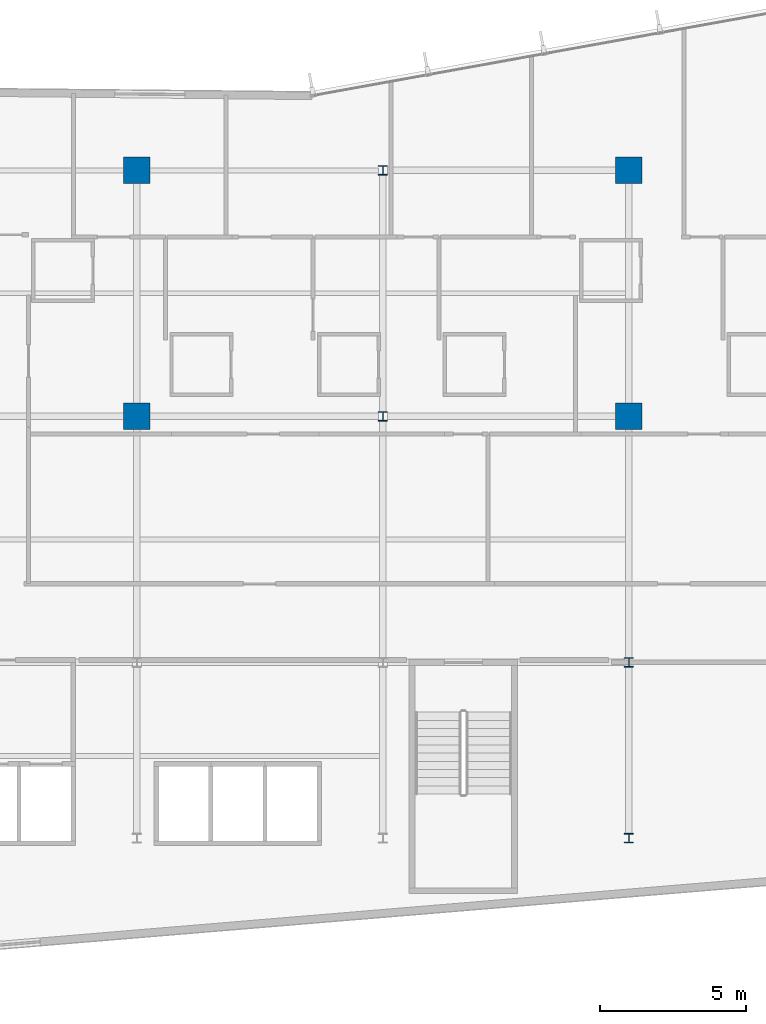
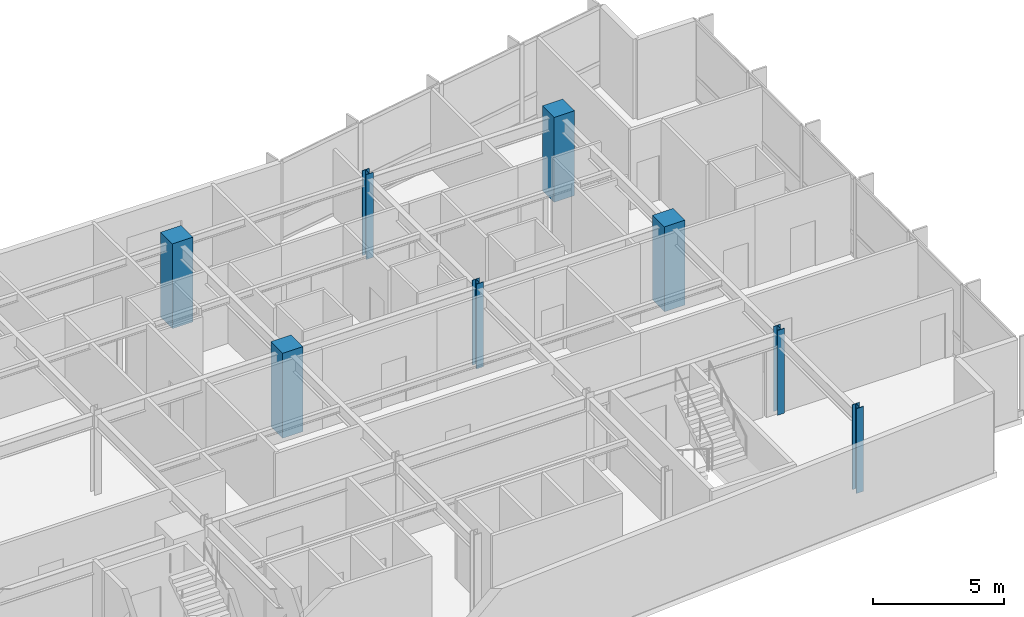
# One storey, part 2 of 22: 8 columns.
"""IFC4 building model written with IfcOpenShell, lengths in metres."""

from ifc_helpers import new_model, si_unit, direction, frame, origin, origin_2d, place, context, subcontext, project, spatial, rectangle, i_section, extrude, material, material_profile, profile_set, type_object, element, save


model = new_model("IFC4")

# Units and contexts
model_context = context("Model", 3, precision=1e-05, world=origin(), true_north=direction((0.0, 1.0)))
body_context = subcontext(model_context, "Body", "Model", "MODEL_VIEW")
ifc_project = project(units=[si_unit("LENGTHUNIT", "METRE"), si_unit("AREAUNIT", "SQUARE_METRE"), si_unit("VOLUMEUNIT", "CUBIC_METRE"), si_unit("PLANEANGLEUNIT", "RADIAN"), si_unit("MASSUNIT", "GRAM", prefix="KILO")], contexts=[model_context])

# Site, building, storey
site_placement = place(None, origin())
site = spatial("IfcSite", under=ifc_project, at=site_placement, CompositionType="ELEMENT")
building_placement = place(site_placement, origin())
building = spatial("IfcBuilding", under=site, at=building_placement, Name="Varnakote Quay Hospital", CompositionType="ELEMENT")
storey_placement = place(building_placement, frame((0.0, 0.0, 62.0)))
storey = spatial("IfcBuildingStorey", under=building, at=storey_placement, Name="L15", CompositionType="ELEMENT", Elevation=62.0)

# Columns
ifc_material_1 = material(Name="Concrete N50 (f'c 50 MPa)", Category="concrete")
ifc_material_profile_1 = material_profile(ifc_material_1, rectangle(XDim=0.89990234375, YDim=0.89990234375, at=origin_2d()), Name="RC-COL-900x900")
ifc_profile_set_1 = profile_set([ifc_material_profile_1], Name="Concrete N50 (f'c 50 MPa)")
column_type_1 = type_object("IfcColumnType", Name="COL-RC-900", PredefinedType="COLUMN", material=ifc_profile_set_1)
for number, where, z_axis, x_axis, name in (
    (1, (33.60009765625, 20.39990234375, 0.0), (0.0, 0.0, 1.0), (1.0, 0.0, 0.0), "L15 Structural Column C-34-20"),
    (2, (50.39990234375, 20.39990234375, 0.0), (0.0, 0.0, 1.0), (1.0, 0.0, 0.0), "L15 Structural Column C-50-20"),
    (3, (33.60009765625, 28.800048828125, 0.0), (0.0, 0.0, 1.0), (1.0, 0.0, 0.0), "L15 Structural Column C-34-29"),
    (4, (50.39990234375, 28.800048828125, 0.0), (0.0, 0.0, 1.0), (1.0, 0.0, 0.0), "L15 Structural Column C-50-29"),
):
    element("IfcColumn", number, at=place(storey_placement, frame(where, z_axis=z_axis, x_axis=x_axis)), inside=storey, type_object=column_type_1, Name=name, PredefinedType="COLUMN", context=body_context, shape_type="SweptSolid", body=[
        extrude(rectangle(XDim=0.89990234375, YDim=0.89990234375, at=origin_2d()), origin(), (0.0, 0.0, 1.0), 3.949951171875),
    ])
ifc_material_2 = material(Name="Structural steel AS/NZS 3679.1 Grade 350 L0 (fy 340 MPa)", Category="steel")
ifc_material_profile_2 = material_profile(ifc_material_2, i_section(OverallWidth=0.31103515625, OverallDepth=0.326904296875, WebThickness=0.015625, FlangeThickness=0.02490234375, FilletRadius=0.0166015625, at=origin_2d()), Name="310UC158")
ifc_profile_set_2 = profile_set([ifc_material_profile_2], Name="Structural steel AS/NZS 3679.1 Grade 350 L0 (fy 340 MPa)")
column_type_2 = type_object("IfcColumnType", Name="COL-STL-310UC158", PredefinedType="COLUMN", material=ifc_profile_set_2)
for number, where, z_axis, x_axis, name in (
    (5, (50.39990234375, 6.0, 0.0), (0.0, 0.0, 1.0), (1.0, 0.0, 0.0), "L15 Structural Column C-50-6"),
    (6, (50.39990234375, 12.0, 0.0), (0.0, 0.0, 1.0), (1.0, 0.0, 0.0), "L15 Structural Column C-50-12"),
    (7, (42.0, 20.39990234375, 0.0), (0.0, 0.0, 1.0), (1.0, 0.0, 0.0), "L15 Structural Column C-42-20"),
    (8, (42.0, 28.800048828125, 0.0), (0.0, 0.0, 1.0), (1.0, 0.0, 0.0), "L15 Structural Column C-42-29"),
):
    element("IfcColumn", number, at=place(storey_placement, frame(where, z_axis=z_axis, x_axis=x_axis)), inside=storey, type_object=column_type_2, Name=name, PredefinedType="COLUMN", context=body_context, shape_type="SweptSolid", body=[
        extrude(i_section(OverallWidth=0.31103515625, OverallDepth=0.326904296875, WebThickness=0.015625, FlangeThickness=0.02490234375, FilletRadius=0.0166015625, at=origin_2d()), origin(), (0.0, 0.0, 1.0), 3.949951171875),
    ])

save(model, "model.ifc")
